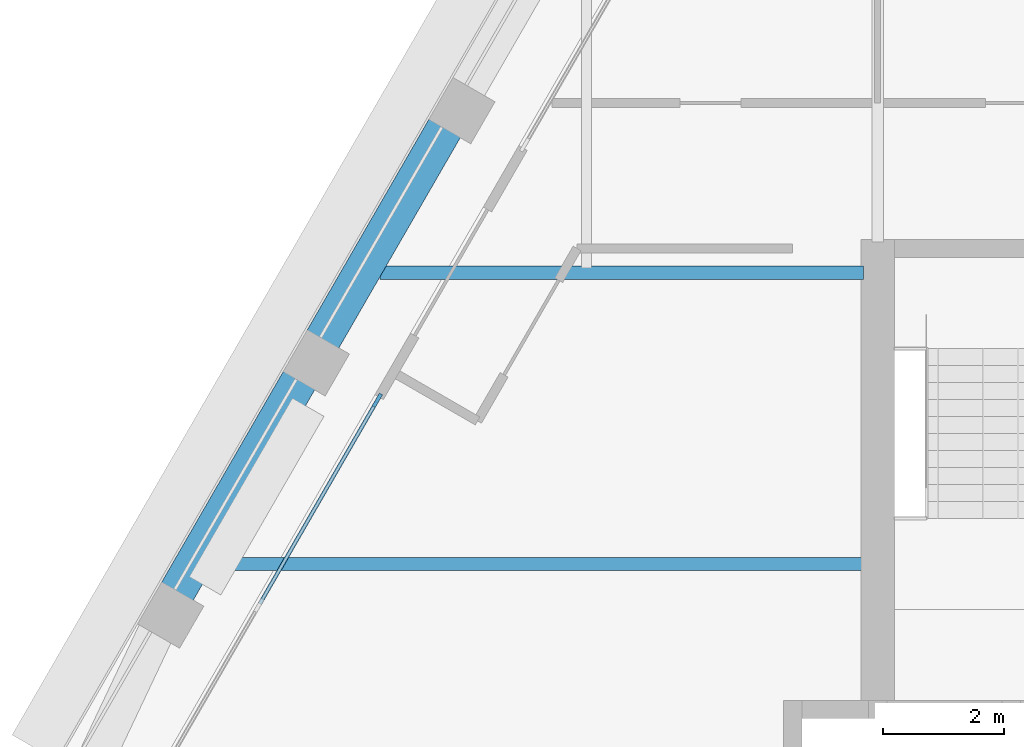
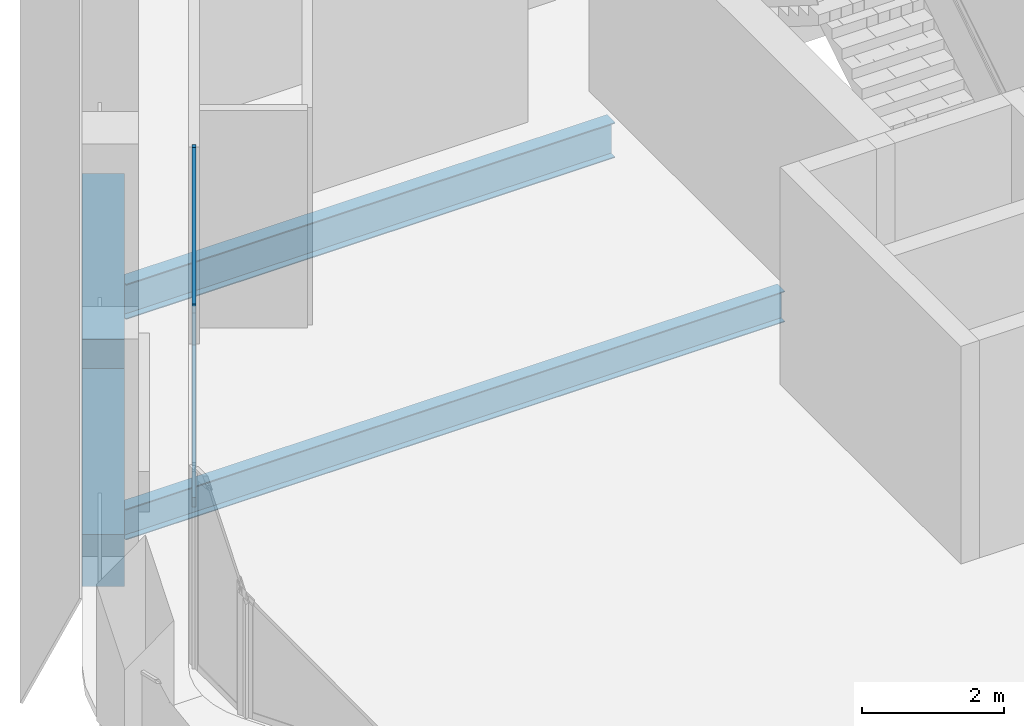
# One storey, part 3 of 14: 4 beams, 3 members, 1 element without a shape of its own.
"""IFC4 building model written with IfcOpenShell, lengths in metres."""

from ifc_helpers import new_model, si_unit, direction, frame, origin, origin_2d, place, context, subcontext, project, spatial, rectangle, i_section, extrude, material, material_profile, profile_set, type_object, element, aggregate, save


model = new_model("IFC4")

# Units and contexts
model_context = context("Model", 3, precision=1e-05, world=origin(), true_north=direction((0.0, 1.0)))
body_context = subcontext(model_context, "Body", "Model", "MODEL_VIEW")
ifc_project = project(units=[si_unit("LENGTHUNIT", "METRE"), si_unit("AREAUNIT", "SQUARE_METRE"), si_unit("VOLUMEUNIT", "CUBIC_METRE"), si_unit("PLANEANGLEUNIT", "RADIAN"), si_unit("MASSUNIT", "GRAM", prefix="KILO")], contexts=[model_context])

# Site, building, storey
site_placement = place(None, origin())
site = spatial("IfcSite", under=ifc_project, at=site_placement, CompositionType="ELEMENT")
building_placement = place(site_placement, origin())
building = spatial("IfcBuilding", under=site, at=building_placement, Name="Kolab Exchange Tower", CompositionType="ELEMENT")
storey_placement = place(building_placement, frame((0.0, 0.0, 265.699951171875)))
storey = spatial("IfcBuildingStorey", under=building, at=storey_placement, Name="L59", CompositionType="ELEMENT", Elevation=265.699951171875)

# Beams
ifc_material_1 = material(Name="Steel S355", Category="steel")
ifc_material_profile_1 = material_profile(ifc_material_1, i_section(OverallWidth=0.208984375, OverallDepth=0.532958984375, WebThickness=0.01025390625, FlangeThickness=0.015625, at=origin_2d()), Name="W530X92")
ifc_profile_set_1 = profile_set([ifc_material_profile_1], Name="Steel S355")
beam_type_1 = type_object("IfcBeamType", Name="FLOOR BEAM W530X92", PredefinedType="BEAM", material=ifc_profile_set_1)
beam_1_placement = place(storey_placement, frame((-20.575927734375, 4.800048828125, -0.41650390625), z_axis=(1.0, 0.0, 0.0), x_axis=(0.0, 1.0, 0.0)))
element("IfcBeam", 1, at=beam_1_placement, inside=storey, type_object=beam_type_1, Name="beam/L59/fr/002", PredefinedType="BEAM", context=body_context, shape_type="SweptSolid", body=[
    extrude(i_section(OverallWidth=0.208984375, OverallDepth=0.532958984375, WebThickness=0.01025390625, FlangeThickness=0.015625, at=origin_2d()), origin(), (0.0, 0.0, 1.0), 10.740966796875),
])
ifc_material_profile_2 = material_profile(ifc_material_1, i_section(OverallWidth=0.22802734375, OverallDepth=0.60791015625, WebThickness=0.01123046875, FlangeThickness=0.017333984375, at=origin_2d()), Name="W610X113")
ifc_profile_set_2 = profile_set([ifc_material_profile_2], Name="Steel S355")
beam_type_2 = type_object("IfcBeamType", Name="FLOOR GIRDER W610X113", PredefinedType="BEAM", material=ifc_profile_set_2)
beam_2_placement = place(storey_placement, frame((-17.8046875, 9.60009765625, -0.453857421875), z_axis=(1.0, 0.0, 0.0), x_axis=(0.0, 1.0, 0.0)))
element("IfcBeam", 2, at=beam_2_placement, inside=storey, type_object=beam_type_2, Name="beam/L59/gd/001", PredefinedType="BEAM", context=body_context, shape_type="SweptSolid", body=[
    extrude(i_section(OverallWidth=0.22802734375, OverallDepth=0.60791015625, WebThickness=0.01123046875, FlangeThickness=0.017333984375, at=origin_2d()), origin(), (0.0, 0.0, 1.0), 7.9697265625),
])
ifc_material_2 = material(Name="Concrete C50/60", Category="concrete")
ifc_material_profile_3 = material_profile(ifc_material_2, rectangle(XDim=0.60009765625, YDim=0.89990234375, at=origin_2d()), Name="RC600X900")
ifc_profile_set_3 = profile_set([ifc_material_profile_3], Name="Concrete C50/60")
beam_type_3 = type_object("IfcBeamType", Name="SPANDREL BEAM 600X900 C50/60", PredefinedType="BEAM", material=ifc_profile_set_3)
for number, where, z_axis, x_axis, name in (
    (3, (-21.16015625, 4.318603515625, -0.599853515625), (0.500000428765, 0.866025156237, 0.0), (-0.866025156237, 0.500000428765, 0.0), "beam/L59/sp/F6-02"),
    (4, (-18.76025390625, 8.4755859375, -0.599853515625), (0.500000428765, 0.866025156237, 0.0), (-0.866025156237, 0.500000428765, 0.0), "beam/L59/sp/F6-03"),
):
    element("IfcBeam", number, at=place(storey_placement, frame(where, z_axis=z_axis, x_axis=x_axis)), inside=storey, type_object=beam_type_3, Name=name, PredefinedType="BEAM", context=body_context, shape_type="SweptSolid", body=[
        extrude(rectangle(XDim=0.60009765625, YDim=0.89990234375, at=origin_2d()), origin(), (0.0, 0.0, 1.0), 4.080078125),
    ])

# Curtain wall, members
ifc_material_3 = material(Name="Aluminium EN AW-6063 T6", Category="aluminium")
curtain_wall_type = type_object("IfcCurtainWallType", Name="UNITISED HIGH ZONE CURTAIN WALL", PredefinedType="NOTDEFINED", material=ifc_material_3)
curtain_wall_placement = place(storey_placement, origin())
curtain_wall = element("IfcCurtainWall", 5, at=curtain_wall_placement, inside=storey, type_object=curtain_wall_type, Name="cw/L59/F6-1", PredefinedType="NOTDEFINED")
ifc_material_profile_4 = material_profile(ifc_material_3, rectangle(XDim=0.06005859375, YDim=0.239990234375, at=origin_2d()), Name="RECT 60X240")
ifc_profile_set_4 = profile_set([ifc_material_profile_4], Name="Aluminium EN AW-6063 T6")
member_type_1 = type_object("IfcMemberType", Name="UNITISED HIGH ZONE MULLION 60 X 240", PredefinedType="MULLION", material=ifc_profile_set_4)
member_1_placement = place(storey_placement, frame((-17.8466796875, 7.497802734375, 0.0), z_axis=(0.0, 0.0, 1.0), x_axis=(-0.866025440524, 0.499999936366, 0.0)))
member_1 = element("IfcMember", 6, at=member_1_placement, type_object=member_type_1, Name="CW4 mullion 3", PredefinedType="MULLION", context=body_context, shape_type="SweptSolid", body=[
    extrude(rectangle(XDim=0.06005859375, YDim=0.239990234375, at=origin_2d()), origin(), (0.0, 0.0, 1.0), 3.400146484375),
])
ifc_material_profile_5 = material_profile(ifc_material_3, rectangle(XDim=0.06005859375, YDim=0.159912109375, at=origin_2d()), Name="RECT 60X160")
ifc_profile_set_5 = profile_set([ifc_material_profile_5], Name="Aluminium EN AW-6063 T6")
member_type_2 = type_object("IfcMemberType", Name="UNITISED HIGH ZONE TRANSOM 60 X 160", PredefinedType="USERDEFINED", material=ifc_profile_set_5)
member_2_placement = place(storey_placement, frame((-19.78369140625, 4.142822265625, 0.030029296875), z_axis=(0.500011990396, 0.866018481016, 0.0), x_axis=(-0.866018481016, 0.500011990396, 0.0)))
member_2 = element("IfcMember", 7, at=member_2_placement, type_object=member_type_2, Name="CW4 transom 2.1", ObjectType="TRANSOM", PredefinedType="USERDEFINED", context=body_context, shape_type="SweptSolid", body=[
    extrude(rectangle(XDim=0.06005859375, YDim=0.159912109375, at=origin_2d()), origin(), (0.0, 0.0, 1.0), 3.84423828125),
])
member_3_placement = place(storey_placement, frame((-19.78369140625, 4.142822265625, 3.3701171875), z_axis=(0.500011990396, 0.866018481016, 0.0), x_axis=(-0.866018481016, 0.500011990396, 0.0)))
member_3 = element("IfcMember", 8, at=member_3_placement, type_object=member_type_2, Name="CW4 transom 2.2", ObjectType="TRANSOM", PredefinedType="USERDEFINED", context=body_context, shape_type="SweptSolid", body=[
    extrude(rectangle(XDim=0.06005859375, YDim=0.159912109375, at=origin_2d()), origin(), (0.0, 0.0, 1.0), 3.84423828125),
])
aggregate(curtain_wall, [member_1, member_2, member_3])

save(model, "model.ifc")
